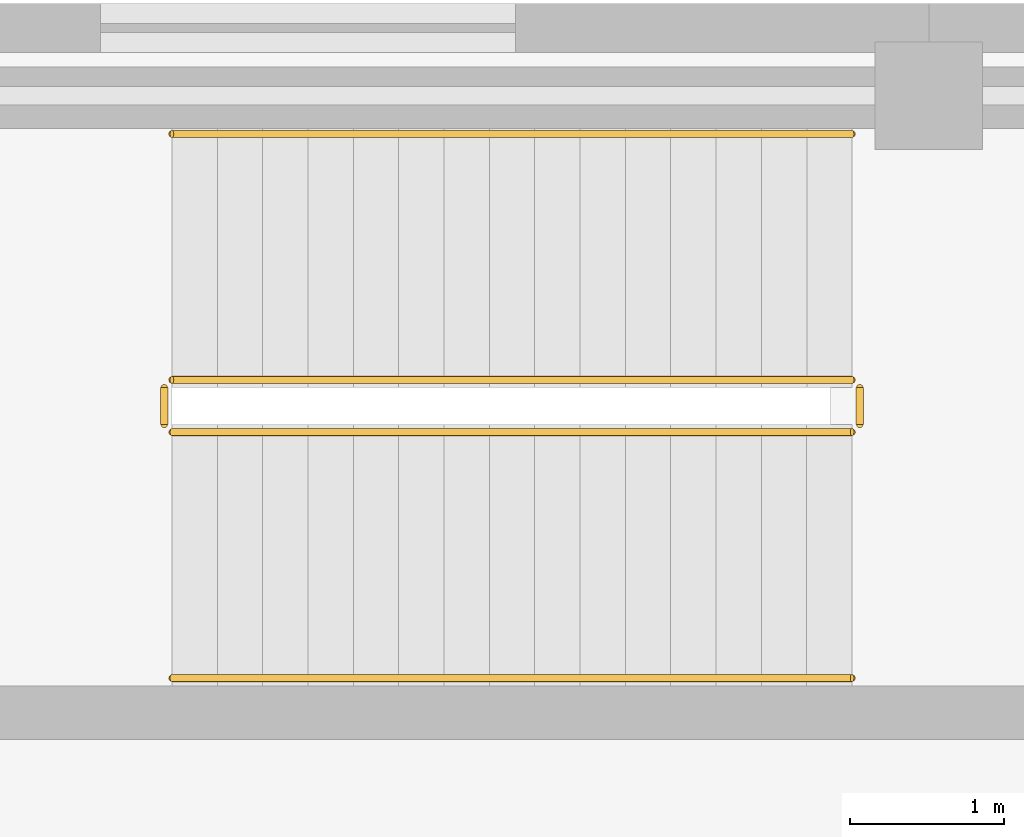
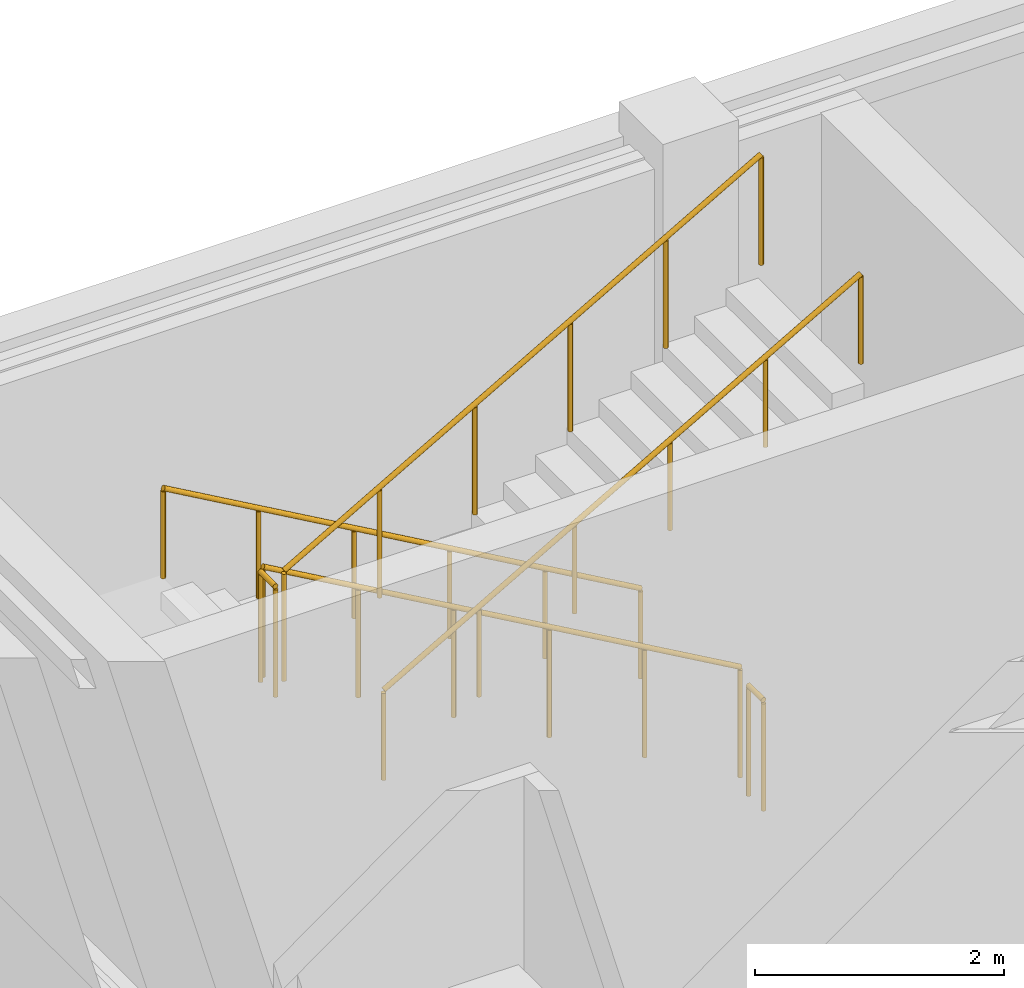
# One storey, part 118 of 122: 6 railings.
"""IFC4 building model written with IfcOpenShell, lengths in metres."""

from ifc_helpers import new_model, si_unit, direction, frame, origin, origin_2d, place, context, subcontext, project, spatial, circle, extrude, material, type_object, element, save


model = new_model("IFC4")

# Units and contexts
model_context = context("Model", 3, precision=1e-05, world=origin(), true_north=direction((0.0, 1.0)))
body_context = subcontext(model_context, "Body", "Model", "MODEL_VIEW")
ifc_project = project(units=[si_unit("LENGTHUNIT", "METRE"), si_unit("AREAUNIT", "SQUARE_METRE"), si_unit("VOLUMEUNIT", "CUBIC_METRE"), si_unit("PLANEANGLEUNIT", "RADIAN"), si_unit("MASSUNIT", "GRAM", prefix="KILO")], contexts=[model_context])

# Site, building, storey
site_placement = place(None, origin())
site = spatial("IfcSite", under=ifc_project, at=site_placement, CompositionType="ELEMENT")
building_placement = place(site_placement, origin())
building = spatial("IfcBuilding", under=site, at=building_placement, Name="Zayran Congress Hotel", CompositionType="ELEMENT")
storey_placement = place(building_placement, origin())
storey = spatial("IfcBuildingStorey", under=building, at=storey_placement, Name="L00", CompositionType="ELEMENT", Elevation=0.0)

# Railings
ifc_material_1 = material(Name="Painted steel balustrade", Category="steel")
railing_type_1 = type_object("IfcRailingType", Name="TP-GRD-INT", PredefinedType="GUARDRAIL", material=ifc_material_1)
railing_1_placement = place(storey_placement, frame((159.10009765625, 39.949951171875, 0.168701171875)))
element("IfcRailing", 1, at=railing_1_placement, inside=storey, type_object=railing_type_1, Name="L00 ST-11 stair guard 1", PredefinedType="GUARDRAIL", context=body_context, shape_type="SweptSolid", body=[
    extrude(circle(Radius=0.02392578125, at=origin_2d()), frame((0.0, 0.0, 1.076171875), z_axis=(-0.868019072493, 0.0, 0.49653085482), x_axis=(0.0, -1.0, 0.0)), (0.0, 0.0, 1.0), 5.097900390625),
    extrude(circle(Radius=0.02099609375, at=origin_2d()), origin(), (0.0, 0.0, 1.0), 1.052001953125),
    extrude(circle(Radius=0.02099609375, at=origin_2d()), frame((-0.885009765625, 0.0, 0.50634765625)), (0.0, 0.0, 1.0), 1.052001953125),
    extrude(circle(Radius=0.02099609375, at=origin_2d()), frame((-1.77001953125, 0.0, 1.012451171875)), (0.0, 0.0, 1.0), 1.052001953125),
    extrude(circle(Radius=0.02099609375, at=origin_2d()), frame((-2.655029296875, 0.0, 1.518798828125)), (0.0, 0.0, 1.0), 1.052001953125),
    extrude(circle(Radius=0.02099609375, at=origin_2d()), frame((-3.5400390625, 0.0, 2.02490234375)), (0.0, 0.0, 1.0), 1.052001953125),
    extrude(circle(Radius=0.02099609375, at=origin_2d()), frame((-4.425048828125, 0.0, 2.53125)), (0.0, 0.0, 1.0), 1.052001953125),
])
railing_2_placement = place(storey_placement, frame((154.625, 39.89990234375, 2.699951171875)))
element("IfcRailing", 2, at=railing_2_placement, inside=storey, type_object=railing_type_1, Name="L00 ST-11 stair guard 2", PredefinedType="GUARDRAIL", context=body_context, shape_type="SweptSolid", body=[
    extrude(circle(Radius=0.02392578125, at=origin_2d()), frame((0.0, 0.0, 1.076171875), z_axis=(0.0, -1.0, 0.0), x_axis=(1.0, 0.0, 0.0)), (0.0, 0.0, 1.0), 0.239990234375),
    extrude(circle(Radius=0.02099609375, at=origin_2d()), origin(), (0.0, 0.0, 1.0), 1.052001953125),
    extrude(circle(Radius=0.02099609375, at=origin_2d()), frame((0.0, -0.239990234375, 0.0)), (0.0, 0.0, 1.0), 1.052001953125),
])
railing_3_placement = place(storey_placement, frame((154.675048828125, 39.610107421875, 2.86865234375)))
element("IfcRailing", 3, at=railing_3_placement, inside=storey, type_object=railing_type_1, Name="L00 ST-11 stair guard 3", PredefinedType="GUARDRAIL", context=body_context, shape_type="SweptSolid", body=[
    extrude(circle(Radius=0.02392578125, at=origin_2d()), frame((0.0, 0.0, 1.076171875), z_axis=(0.868019072493, 0.0, 0.49653085482), x_axis=(0.0, 1.0, 0.0)), (0.0, 0.0, 1.0), 5.097900390625),
    extrude(circle(Radius=0.02099609375, at=origin_2d()), origin(), (0.0, 0.0, 1.0), 1.052001953125),
    extrude(circle(Radius=0.02099609375, at=origin_2d()), frame((0.885009765625, 0.0, 0.50634765625)), (0.0, 0.0, 1.0), 1.052001953125),
    extrude(circle(Radius=0.02099609375, at=origin_2d()), frame((1.77001953125, 0.0, 1.012451171875)), (0.0, 0.0, 1.0), 1.052001953125),
    extrude(circle(Radius=0.02099609375, at=origin_2d()), frame((2.655029296875, 0.0, 1.518798828125)), (0.0, 0.0, 1.0), 1.052001953125),
    extrude(circle(Radius=0.02099609375, at=origin_2d()), frame((3.5400390625, 0.0, 2.02490234375)), (0.0, 0.0, 1.0), 1.052001953125),
    extrude(circle(Radius=0.02099609375, at=origin_2d()), frame((4.425048828125, 0.0, 2.53125)), (0.0, 0.0, 1.0), 1.052001953125),
])
railing_4_placement = place(storey_placement, frame((159.14990234375, 39.89990234375, 0.0)))
element("IfcRailing", 4, at=railing_4_placement, inside=storey, type_object=railing_type_1, Name="L00 ST-11 stair guard 4", PredefinedType="GUARDRAIL", context=body_context, shape_type="SweptSolid", body=[
    extrude(circle(Radius=0.02392578125, at=origin_2d()), frame((0.0, 0.0, 1.076171875), z_axis=(0.0, -1.0, 0.0), x_axis=(1.0, 0.0, 0.0)), (0.0, 0.0, 1.0), 0.239990234375),
    extrude(circle(Radius=0.02099609375, at=origin_2d()), origin(), (0.0, 0.0, 1.0), 1.052001953125),
    extrude(circle(Radius=0.02099609375, at=origin_2d()), frame((0.0, -0.239990234375, 0.0)), (0.0, 0.0, 1.0), 1.052001953125),
])
ifc_material_2 = material(Name="Brushed stainless steel handrail", Category="steel")
railing_type_2 = type_object("IfcRailingType", Name="TP-HND-STR", PredefinedType="HANDRAIL", material=ifc_material_2)
railing_5_placement = place(storey_placement, frame((159.10009765625, 41.550048828125, 0.168701171875)))
element("IfcRailing", 5, at=railing_5_placement, inside=storey, type_object=railing_type_2, Name="L00 ST-11 stair handrail 1", PredefinedType="HANDRAIL", context=body_context, shape_type="SweptSolid", body=[
    extrude(circle(Radius=0.02392578125, at=origin_2d()), frame((0.0, 0.0, 0.8759765625), z_axis=(-0.868019072493, 0.0, 0.49653085482), x_axis=(0.0, -1.0, 0.0)), (0.0, 0.0, 1.0), 5.097900390625),
    extrude(circle(Radius=0.02099609375, at=origin_2d()), origin(), (0.0, 0.0, 1.0), 0.851806640625),
    extrude(circle(Radius=0.02099609375, at=origin_2d()), frame((-0.885009765625, 0.0, 0.50634765625)), (0.0, 0.0, 1.0), 0.851806640625),
    extrude(circle(Radius=0.02099609375, at=origin_2d()), frame((-1.77001953125, 0.0, 1.012451171875)), (0.0, 0.0, 1.0), 0.851806640625),
    extrude(circle(Radius=0.02099609375, at=origin_2d()), frame((-2.655029296875, 0.0, 1.518798828125)), (0.0, 0.0, 1.0), 0.851806640625),
    extrude(circle(Radius=0.02099609375, at=origin_2d()), frame((-3.5400390625, 0.0, 2.02490234375)), (0.0, 0.0, 1.0), 0.851806640625),
    extrude(circle(Radius=0.02099609375, at=origin_2d()), frame((-4.425048828125, 0.0, 2.53125)), (0.0, 0.0, 1.0), 0.851806640625),
])
railing_6_placement = place(storey_placement, frame((154.675048828125, 38.010009765625, 2.86865234375)))
element("IfcRailing", 6, at=railing_6_placement, inside=storey, type_object=railing_type_2, Name="L00 ST-11 stair handrail 2", PredefinedType="HANDRAIL", context=body_context, shape_type="SweptSolid", body=[
    extrude(circle(Radius=0.02392578125, at=origin_2d()), frame((0.0, 0.0, 0.8759765625), z_axis=(0.868019072493, 0.0, 0.49653085482), x_axis=(0.0, 1.0, 0.0)), (0.0, 0.0, 1.0), 5.097900390625),
    extrude(circle(Radius=0.02099609375, at=origin_2d()), origin(), (0.0, 0.0, 1.0), 0.851806640625),
    extrude(circle(Radius=0.02099609375, at=origin_2d()), frame((0.885009765625, 0.0, 0.50634765625)), (0.0, 0.0, 1.0), 0.851806640625),
    extrude(circle(Radius=0.02099609375, at=origin_2d()), frame((1.77001953125, 0.0, 1.012451171875)), (0.0, 0.0, 1.0), 0.851806640625),
    extrude(circle(Radius=0.02099609375, at=origin_2d()), frame((2.655029296875, 0.0, 1.518798828125)), (0.0, 0.0, 1.0), 0.851806640625),
    extrude(circle(Radius=0.02099609375, at=origin_2d()), frame((3.5400390625, 0.0, 2.02490234375)), (0.0, 0.0, 1.0), 0.851806640625),
    extrude(circle(Radius=0.02099609375, at=origin_2d()), frame((4.425048828125, 0.0, 2.53125)), (0.0, 0.0, 1.0), 0.851806640625),
])

save(model, "model.ifc")
